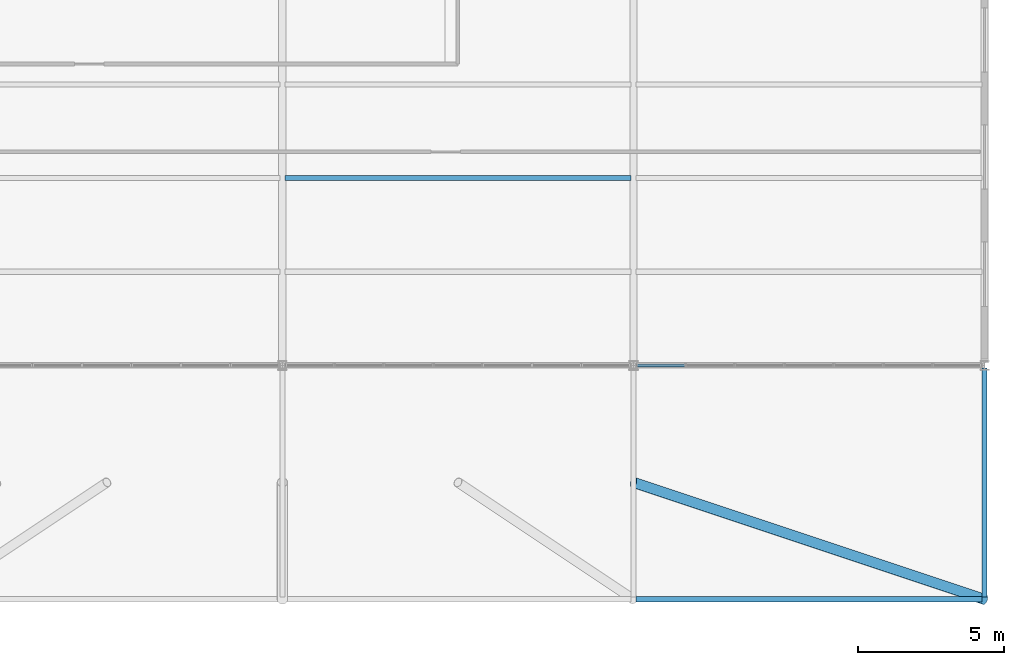
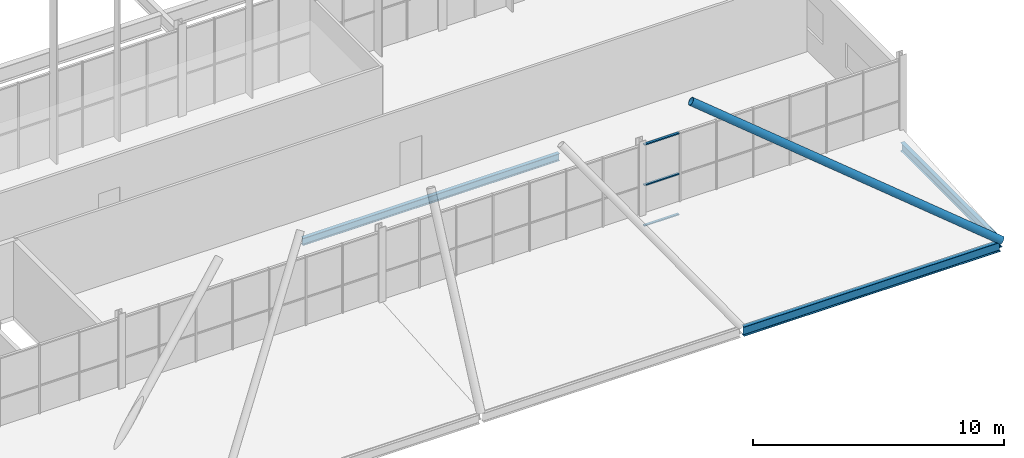
# One storey, part 188 of 324: 4 members, 3 beams, 1 element without a shape of its own.
"""IFC4 building model written with IfcOpenShell, lengths in metres."""

from ifc_helpers import new_model, si_unit, direction, frame, origin, origin_2d, place, context, subcontext, project, spatial, hollow_rectangle, hollow_circle, i_section, extrude, material, layer, layer_set, material_profile, profile_set, type_object, element, aggregate, save


model = new_model("IFC4")

# Units and contexts
model_context = context("Model", 3, precision=1e-05, world=origin(), true_north=direction((0.0, 1.0)))
body_context = subcontext(model_context, "Body", "Model", "MODEL_VIEW")
ifc_project = project(units=[si_unit("LENGTHUNIT", "METRE"), si_unit("AREAUNIT", "SQUARE_METRE"), si_unit("VOLUMEUNIT", "CUBIC_METRE"), si_unit("PLANEANGLEUNIT", "RADIAN"), si_unit("MASSUNIT", "GRAM", prefix="KILO")], contexts=[model_context])

# Site, building, storey
site_placement = place(None, origin())
site = spatial("IfcSite", under=ifc_project, at=site_placement, CompositionType="ELEMENT")
building_placement = place(site_placement, origin())
building = spatial("IfcBuilding", under=site, at=building_placement, Name="Solvenia Promenade Tram Depot", CompositionType="ELEMENT")
storey_placement = place(building_placement, frame((0.0, 0.0, 4.5)))
storey = spatial("IfcBuildingStorey", under=building, at=storey_placement, Name="L01", CompositionType="ELEMENT", Elevation=4.5)

# Beam
ifc_material_1 = material(Name="Structural steel ASTM A992 Gr. 50", Category="steel")
ifc_material_profile_1 = material_profile(ifc_material_1, i_section(OverallWidth=0.178955078125, OverallDepth=0.409912109375, WebThickness=0.0087890625, FlangeThickness=0.014404296875, FilletRadius=0.011962890625, at=origin_2d()), Name="W410x67", Category="steel")
ifc_profile_set_1 = profile_set([ifc_material_profile_1], Name="Structural steel ASTM A992 Gr. 50")
beam_type_1 = type_object("IfcBeamType", Name="Beam-W410x67", PredefinedType="BEAM", material=ifc_profile_set_1)
beam_1_placement = place(storey_placement, frame((186.0, 0.0849609375, -0.205078125), z_axis=(0.0, 1.0, 0.0), x_axis=(-1.0, 0.0, 0.0)))
element("IfcBeam", 1, at=beam_1_placement, inside=storey, type_object=beam_type_1, Name="Colonnade East Canopy Beam BM-L01-0956", PredefinedType="BEAM", context=body_context, shape_type="SweptSolid", body=[
    extrude(i_section(OverallWidth=0.178955078125, OverallDepth=0.409912109375, WebThickness=0.0087890625, FlangeThickness=0.014404296875, FilletRadius=0.011962890625, at=origin_2d()), origin(), (0.0, 0.0, 1.0), 7.830078125),
])

# Curtain wall, members
ifc_material_2 = material(Name="Anodized aluminium AW-6063 T6", Category="aluminium")
ifc_layer = layer(ifc_material_2, 0.179931640625, Name="Anodized aluminium AW-6063 T6", Category="aluminium")
ifc_layer_set = layer_set([ifc_layer], Name="Anodized aluminium AW-6063 T6")
curtain_wall_type = type_object("IfcCurtainWallType", Name="CW-Prom-1800", PredefinedType="NOTDEFINED", material=ifc_layer_set)
curtain_wall_placement = place(storey_placement, origin())
curtain_wall = element("IfcCurtainWall", 2, at=curtain_wall_placement, inside=storey, type_object=curtain_wall_type, Name="Curtain Wall CW-V5S-L1-05", PredefinedType="NOTDEFINED")
ifc_material_profile_2 = material_profile(ifc_material_2, hollow_rectangle(XDim=0.110107421875, YDim=0.054931640625, WallThickness=0.00390625, at=origin_2d()), Name="ALU-T4", Category="aluminium")
ifc_profile_set_2 = profile_set([ifc_material_profile_2], Name="Anodized aluminium AW-6063 T6")
member_type_1 = type_object("IfcMemberType", Name="CWT-Transom-4", PredefinedType="USERDEFINED", material=ifc_profile_set_2)
member_1_placement = place(storey_placement, frame((174.135009765625, 8.0, 0.027587890625), z_axis=(1.0, 0.0, 0.0), x_axis=(0.0, 1.0, 0.0)))
member_1 = element("IfcMember", 3, at=member_1_placement, type_object=member_type_1, Name="CW-9 transom 1.1", ObjectType="TRANSOM", PredefinedType="USERDEFINED", context=body_context, shape_type="SweptSolid", body=[
    extrude(hollow_rectangle(XDim=0.110107421875, YDim=0.054931640625, WallThickness=0.00390625, at=origin_2d()), origin(), (0.0, 0.0, 1.0), 1.60888671875),
])
member_2_placement = place(storey_placement, frame((174.135009765625, 8.0, 2.0), z_axis=(1.0, 0.0, 0.0), x_axis=(0.0, 1.0, 0.0)))
member_2 = element("IfcMember", 4, at=member_2_placement, type_object=member_type_1, Name="CW-9 transom 1.2", ObjectType="TRANSOM", PredefinedType="USERDEFINED", context=body_context, shape_type="SweptSolid", body=[
    extrude(hollow_rectangle(XDim=0.110107421875, YDim=0.054931640625, WallThickness=0.00390625, at=origin_2d()), origin(), (0.0, 0.0, 1.0), 1.60888671875),
])
member_3_placement = place(storey_placement, frame((174.135009765625, 8.0, 3.972412109375), z_axis=(1.0, 0.0, 0.0), x_axis=(0.0, 1.0, 0.0)))
member_3 = element("IfcMember", 5, at=member_3_placement, type_object=member_type_1, Name="CW-9 transom 1.3", ObjectType="TRANSOM", PredefinedType="USERDEFINED", context=body_context, shape_type="SweptSolid", body=[
    extrude(hollow_rectangle(XDim=0.110107421875, YDim=0.054931640625, WallThickness=0.00390625, at=origin_2d()), origin(), (0.0, 0.0, 1.0), 1.60888671875),
])
aggregate(curtain_wall, [member_1, member_2, member_3])

# Beam
ifc_material_profile_3 = material_profile(ifc_material_1, i_section(OverallWidth=0.172119140625, OverallDepth=0.35791015625, WebThickness=0.0078125, FlangeThickness=0.01318359375, FilletRadius=0.010986328125, at=origin_2d()), Name="W360x57", Category="steel")
ifc_profile_set_3 = profile_set([ifc_material_profile_3], Name="Structural steel ASTM A992 Gr. 50")
beam_type_2 = type_object("IfcBeamType", Name="Joist-W360x57", PredefinedType="JOIST", material=ifc_profile_set_3)
beam_2_placement = place(storey_placement, frame((162.0849609375, 14.39990234375, -0.39892578125), z_axis=(1.0, 0.0, 0.0), x_axis=(0.0, 1.0, 0.0)))
element("IfcBeam", 6, at=beam_2_placement, inside=storey, type_object=beam_type_2, Name="Secondary Floor Joist BM-L01-0441", PredefinedType="JOIST", context=body_context, shape_type="SweptSolid", body=[
    extrude(i_section(OverallWidth=0.172119140625, OverallDepth=0.35791015625, WebThickness=0.0078125, FlangeThickness=0.01318359375, FilletRadius=0.010986328125, at=origin_2d()), origin(), (0.0, 0.0, 1.0), 11.830078125),
])

# Member
ifc_material_3 = material(Name="Structural steel ASTM A500 Gr. C", Category="steel")
ifc_material_profile_4 = material_profile(ifc_material_3, hollow_circle(Radius=0.177734375, WallThickness=0.012451171875, at=origin_2d()), Name="CHS355.6x12.5", Category="steel")
ifc_profile_set_4 = profile_set([ifc_material_profile_4], Name="Structural steel ASTM A500 Gr. C")
member_type_2 = type_object("IfcMemberType", Name="SailRib-CHS355x12", PredefinedType="RAFTER", material=ifc_profile_set_4)
member_4_placement = place(storey_placement, frame((186.0, 0.0, 0.0), z_axis=(-0.785971869459, 0.261990623153, 0.560008155118), x_axis=(-0.316227766017, -0.948683298051, 0.0)))
element("IfcMember", 7, at=member_4_placement, inside=storey, type_object=member_type_2, Name="Entrance Sail Lower Rib 05", PredefinedType="RAFTER", context=body_context, shape_type="SweptSolid", body=[
    extrude(hollow_circle(Radius=0.177734375, WallThickness=0.012451171875, at=origin_2d()), origin(), (0.0, 0.0, 1.0), 15.267822265625),
])

# Beam
ifc_material_profile_5 = material_profile(ifc_material_1, i_section(OverallWidth=0.19091796875, OverallDepth=0.4599609375, WebThickness=0.010009765625, FlangeThickness=0.01611328125, FilletRadius=0.012939453125, at=origin_2d()), Name="W460x82", Category="steel")
ifc_profile_set_5 = profile_set([ifc_material_profile_5], Name="Structural steel ASTM A992 Gr. 50")
beam_type_3 = type_object("IfcBeamType", Name="Spandrel-W460x82", PredefinedType="SPANDREL", material=ifc_profile_set_5)
beam_3_placement = place(storey_placement, frame((174.0849609375, 0.0, -0.22998046875), z_axis=(1.0, 0.0, 0.0), x_axis=(0.0, 1.0, 0.0)))
element("IfcBeam", 8, at=beam_3_placement, inside=storey, type_object=beam_type_3, Name="Colonnade Sail Base Girder BM-L01-0954", PredefinedType="SPANDREL", context=body_context, shape_type="SweptSolid", body=[
    extrude(i_section(OverallWidth=0.19091796875, OverallDepth=0.4599609375, WebThickness=0.010009765625, FlangeThickness=0.01611328125, FilletRadius=0.012939453125, at=origin_2d()), origin(), (0.0, 0.0, 1.0), 11.830078125),
])

save(model, "model.ifc")
